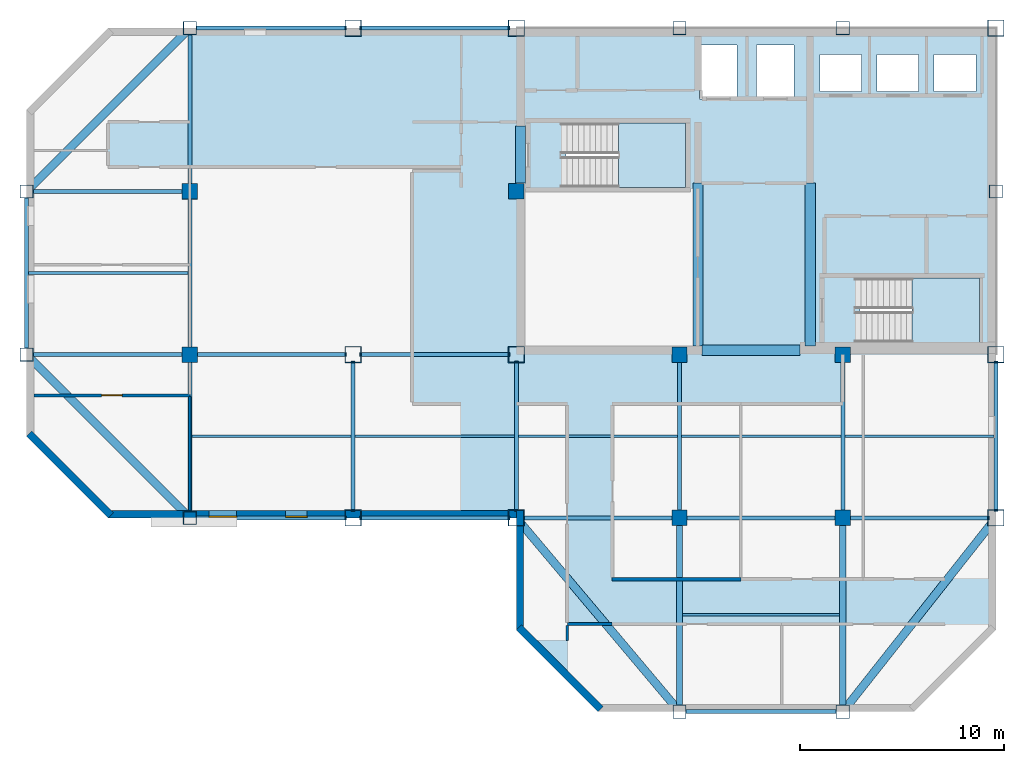
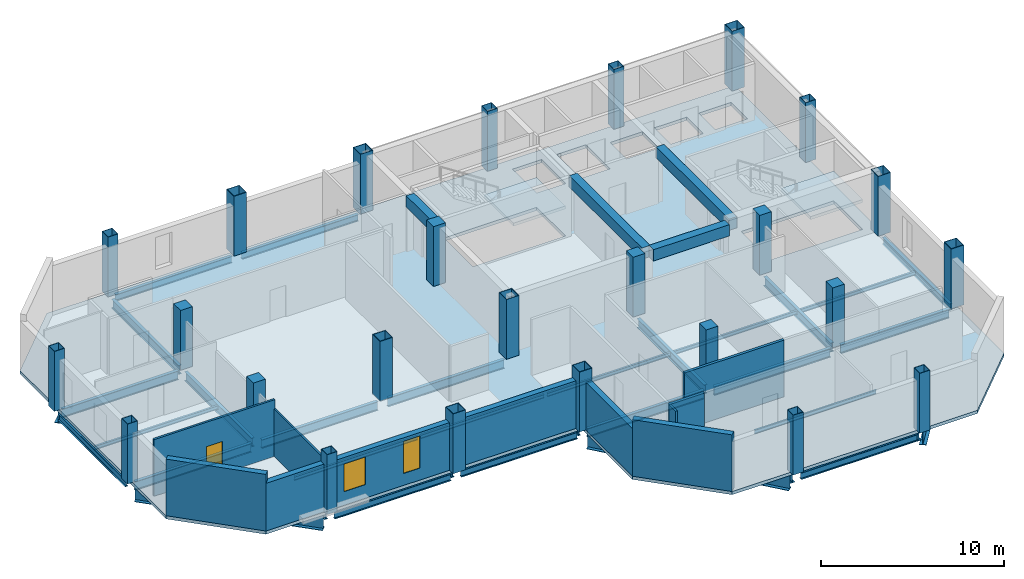
# One storey, part 1 of 7: 38 beams, 25 columns, 9 walls, 3 slabs, 2 windows, 1 door, 3 openings, 2 elements without a shape of their own.
"""IFC4 building model written with IfcOpenShell, lengths in metres."""

from ifc_helpers import new_model, si_unit, direction, frame, frame_2d, origin, origin_2d, place, context, subcontext, project, spatial, polyline, rectangle, hollow_rectangle, i_section, outline, extrude, material, layer, layer_set, material_profile, profile_set, type_object, element, fill, aggregate, save


model = new_model("IFC4")

# Units and contexts
model_context = context("Model", 3, precision=1e-05, world=origin(), true_north=direction((0.0, 1.0)))
body_context = subcontext(model_context, "Body", "Model", "MODEL_VIEW")
ifc_project = project(units=[si_unit("LENGTHUNIT", "METRE"), si_unit("AREAUNIT", "SQUARE_METRE"), si_unit("VOLUMEUNIT", "CUBIC_METRE"), si_unit("PLANEANGLEUNIT", "RADIAN"), si_unit("MASSUNIT", "GRAM", prefix="KILO")], contexts=[model_context])

# Site, building, storey
site_placement = place(None, origin())
site = spatial("IfcSite", under=ifc_project, at=site_placement, CompositionType="ELEMENT")
building_placement = place(site_placement, origin())
building = spatial("IfcBuilding", under=site, at=building_placement, Name="Qianrong Seaharbour Tower", CompositionType="ELEMENT")
storey_placement = place(building_placement, frame((0.0, 0.0, 327.199951171875)))
storey = spatial("IfcBuildingStorey", under=building, at=storey_placement, Name="L79", CompositionType="ELEMENT", Elevation=327.199951171875)

# Columns
ifc_material_1 = material(Name="Structural steel SN490B", Category="steel")
ifc_material_profile_1 = material_profile(ifc_material_1, hollow_rectangle(XDim=0.800048828125, YDim=0.800048828125, WallThickness=0.031982421875, at=origin_2d()), Name="BOX800x800x32")
ifc_profile_set_1 = profile_set([ifc_material_profile_1], Name="Structural steel SN490B")
column_type_1 = type_object("IfcColumnType", Name="COL-CFT-800", PredefinedType="COLUMN", material=ifc_profile_set_1)
for number, where, z_axis, x_axis, name in (
    (1, (32.5, 28.0, 0.0), (0.0, 0.0, 1.0), (1.0, 0.0, 0.0), "L79 Column MC-5 at G5/GE"),
    (2, (32.5, 36.0, 0.0), (0.0, 0.0, 1.0), (1.0, 0.0, 0.0), "L79 Column MC-5 at G5/GF"),
    (3, (32.5, 52.0, 0.0), (0.0, 0.0, 1.0), (1.0, 0.0, 0.0), "L79 Column MC-5 at G5/GH"),
    (4, (40.5, 28.0, 0.0), (0.0, 0.0, 1.0), (1.0, 0.0, 0.0), "L79 Column MC-5 at G6/GE"),
    (5, (40.5, 36.0, 0.0), (0.0, 0.0, 1.0), (1.0, 0.0, 0.0), "L79 Column MC-5 at G6/GF"),
    (6, (40.5, 52.0, 0.0), (0.0, 0.0, 1.0), (1.0, 0.0, 0.0), "L79 Column MC-5 at G6/GH"),
    (7, (64.0, 28.0, 0.0), (0.0, 0.0, 1.0), (1.0, 0.0, 0.0), "L79 Column MC-5 at G9/GE"),
    (8, (64.0, 36.0, 0.0), (0.0, 0.0, 1.0), (1.0, 0.0, 0.0), "L79 Column MC-5 at G9/GF"),
    (9, (64.0, 52.0, 0.0), (0.0, 0.0, 1.0), (1.0, 0.0, 0.0), "L79 Column MC-5 at G9/GH"),
):
    element("IfcColumn", number, at=place(storey_placement, frame(where, z_axis=z_axis, x_axis=x_axis)), inside=storey, type_object=column_type_1, Name=name, PredefinedType="COLUMN", context=body_context, shape_type="SweptSolid", body=[
        extrude(hollow_rectangle(XDim=0.800048828125, YDim=0.800048828125, WallThickness=0.031982421875, at=origin_2d()), origin(), (0.0, 0.0, 1.0), 4.0),
    ])
ifc_material_2 = material(Name="Concrete C50/60", Category="concrete")
ifc_material_profile_2 = material_profile(ifc_material_2, rectangle(XDim=0.75, YDim=0.75, at=origin_2d()), Name="RC750x750")
ifc_profile_set_2 = profile_set([ifc_material_profile_2], Name="Concrete C50/60")
column_type_2 = type_object("IfcColumnType", Name="COL-INT-RC750", PredefinedType="COLUMN", material=ifc_profile_set_2)
for number, where, z_axis, x_axis, name in (
    (10, (24.5, 36.0, 0.0), (0.0, 0.0, 1.0), (1.0, 0.0, 0.0), "L79 Column IC-4 at G4/GF"),
    (11, (24.5, 44.0, 0.0), (0.0, 0.0, 1.0), (1.0, 0.0, 0.0), "L79 Column IC-4 at G4/GG"),
    (12, (40.5, 44.0, 0.0), (0.0, 0.0, 1.0), (1.0, 0.0, 0.0), "L79 Column IC-4 at G6/GG"),
    (13, (48.5, 28.0, 0.0), (0.0, 0.0, 1.0), (1.0, 0.0, 0.0), "L79 Column IC-4 at G7/GE"),
    (14, (48.5, 36.0, 0.0), (0.0, 0.0, 1.0), (1.0, 0.0, 0.0), "L79 Column IC-4 at G7/GF"),
    (15, (56.5, 28.0, 0.0), (0.0, 0.0, 1.0), (1.0, 0.0, 0.0), "L79 Column IC-4 at G8/GE"),
    (16, (56.5, 36.0, 0.0), (0.0, 0.0, 1.0), (1.0, 0.0, 0.0), "L79 Column IC-4 at G8/GF"),
):
    element("IfcColumn", number, at=place(storey_placement, frame(where, z_axis=z_axis, x_axis=x_axis)), inside=storey, type_object=column_type_2, Name=name, PredefinedType="COLUMN", context=body_context, shape_type="SweptSolid", body=[
        extrude(rectangle(XDim=0.75, YDim=0.75, at=origin_2d()), origin(), (0.0, 0.0, 1.0), 4.0),
    ])
ifc_material_3 = material(Name="Structural steel SN400B", Category="steel")
ifc_material_profile_3 = material_profile(ifc_material_3, hollow_rectangle(XDim=0.64990234375, YDim=0.64990234375, WallThickness=0.028076171875, at=origin_2d()), Name="BOX650x650x28")
ifc_profile_set_3 = profile_set([ifc_material_profile_3], Name="Structural steel SN400B")
column_type_3 = type_object("IfcColumnType", Name="COL-PER-650", PredefinedType="COLUMN", material=ifc_profile_set_3)
for number, where, z_axis, x_axis, name in (
    (17, (16.5, 36.0, 0.0), (0.0, 0.0, 1.0), (1.0, 0.0, 0.0), "L79 Column PC-4 at G3/GF"),
    (18, (16.5, 44.0, 0.0), (0.0, 0.0, 1.0), (1.0, 0.0, 0.0), "L79 Column PC-4 at G3/GG"),
    (19, (24.5, 28.0, 0.0), (0.0, 0.0, 1.0), (1.0, 0.0, 0.0), "L79 Column PC-4 at G4/GE"),
    (20, (24.5, 52.0, 0.0), (0.0, 0.0, 1.0), (1.0, 0.0, 0.0), "L79 Column PC-4 at G4/GH"),
    (21, (48.5, 18.5, 0.0), (0.0, 0.0, 1.0), (1.0, 0.0, 0.0), "L79 Column PC-4 at G7/GD"),
    (22, (48.5, 52.0, 0.0), (0.0, 0.0, 1.0), (1.0, 0.0, 0.0), "L79 Column PC-4 at G7/GH"),
    (23, (56.5, 18.5, 0.0), (0.0, 0.0, 1.0), (1.0, 0.0, 0.0), "L79 Column PC-4 at G8/GD"),
    (24, (56.5, 52.0, 0.0), (0.0, 0.0, 1.0), (1.0, 0.0, 0.0), "L79 Column PC-4 at G8/GH"),
    (25, (64.0, 44.0, 0.0), (0.0, 0.0, 1.0), (1.0, 0.0, 0.0), "L79 Column PC-4 at G9/GG"),
):
    element("IfcColumn", number, at=place(storey_placement, frame(where, z_axis=z_axis, x_axis=x_axis)), inside=storey, type_object=column_type_3, Name=name, PredefinedType="COLUMN", context=body_context, shape_type="SweptSolid", body=[
        extrude(hollow_rectangle(XDim=0.64990234375, YDim=0.64990234375, WallThickness=0.028076171875, at=origin_2d()), origin(), (0.0, 0.0, 1.0), 4.0),
    ])

# Beams
ifc_material_profile_4 = material_profile(ifc_material_1, i_section(OverallWidth=0.199951171875, OverallDepth=0.60009765625, WebThickness=0.010986328125, FlangeThickness=0.01708984375, FilletRadius=0.02197265625, at=origin_2d()), Name="H600x200x11x17")
ifc_profile_set_4 = profile_set([ifc_material_profile_4], Name="Structural steel SN490B")
beam_type_1 = type_object("IfcBeamType", Name="BM-G-600", PredefinedType="BEAM", material=ifc_profile_set_4)
for number, where, z_axis, x_axis, name in (
    (26, (40.820068359375, 28.0, -0.514892578125), (1.0, 0.0, 0.0), (0.0, 1.0, 0.0), "L79 Primary Girder GE G6-G7"),
    (27, (48.820068359375, 28.0, -0.514892578125), (1.0, 0.0, 0.0), (0.0, 1.0, 0.0), "L79 Primary Girder GE G7-G8"),
):
    element("IfcBeam", number, at=place(storey_placement, frame(where, z_axis=z_axis, x_axis=x_axis)), inside=storey, type_object=beam_type_1, Name=name, PredefinedType="BEAM", context=body_context, shape_type="SweptSolid", body=[
        extrude(i_section(OverallWidth=0.199951171875, OverallDepth=0.60009765625, WebThickness=0.010986328125, FlangeThickness=0.01708984375, FilletRadius=0.02197265625, at=origin_2d()), origin(), (0.0, 0.0, 1.0), 7.35986328125),
    ])
beam_1_placement = place(storey_placement, frame((56.820068359375, 28.0, -0.514892578125), z_axis=(1.0, 0.0, 0.0), x_axis=(0.0, 1.0, 0.0)))
element("IfcBeam", 28, at=beam_1_placement, inside=storey, type_object=beam_type_1, Name="L79 Primary Girder GE G8-G9", PredefinedType="BEAM", context=body_context, shape_type="SweptSolid", body=[
    extrude(i_section(OverallWidth=0.199951171875, OverallDepth=0.60009765625, WebThickness=0.010986328125, FlangeThickness=0.01708984375, FilletRadius=0.02197265625, at=origin_2d()), origin(), (0.0, 0.0, 1.0), 6.85986328125),
])
for number, where, z_axis, x_axis, name in (
    (29, (16.820068359375, 36.0, -0.514892578125), (1.0, 0.0, 0.0), (0.0, 1.0, 0.0), "L79 Primary Girder GF G3-G4"),
    (30, (24.820068359375, 36.0, -0.514892578125), (1.0, 0.0, 0.0), (0.0, 1.0, 0.0), "L79 Primary Girder GF G4-G5"),
    (31, (32.820068359375, 36.0, -0.514892578125), (1.0, 0.0, 0.0), (0.0, 1.0, 0.0), "L79 Primary Girder GF G5-G6"),
    (32, (16.820068359375, 44.0, -0.514892578125), (1.0, 0.0, 0.0), (0.0, 1.0, 0.0), "L79 Primary Girder GG G3-G4"),
    (33, (24.5, 28.320068359375, -0.514892578125), (0.0, 1.0, 0.0), (-1.0, 0.0, 0.0), "L79 Primary Girder G4 GE-GF"),
    (34, (24.5, 36.320068359375, -0.514892578125), (0.0, 1.0, 0.0), (-1.0, 0.0, 0.0), "L79 Primary Girder G4 GF-GG"),
    (35, (24.5, 44.320068359375, -0.514892578125), (0.0, 1.0, 0.0), (-1.0, 0.0, 0.0), "L79 Primary Girder G4 GG-GH"),
    (36, (32.5, 28.320068359375, -0.514892578125), (0.0, 1.0, 0.0), (-1.0, 0.0, 0.0), "L79 Primary Girder G5 GE-GF"),
    (37, (40.5, 28.320068359375, -0.514892578125), (0.0, 1.0, 0.0), (-1.0, 0.0, 0.0), "L79 Primary Girder G6 GE-GF"),
    (38, (48.5, 28.320068359375, -0.514892578125), (0.0, 1.0, 0.0), (-1.0, 0.0, 0.0), "L79 Primary Girder G7 GE-GF"),
    (39, (56.5, 28.320068359375, -0.514892578125), (0.0, 1.0, 0.0), (-1.0, 0.0, 0.0), "L79 Primary Girder G8 GE-GF"),
):
    element("IfcBeam", number, at=place(storey_placement, frame(where, z_axis=z_axis, x_axis=x_axis)), inside=storey, type_object=beam_type_1, Name=name, PredefinedType="BEAM", context=body_context, shape_type="SweptSolid", body=[
        extrude(i_section(OverallWidth=0.199951171875, OverallDepth=0.60009765625, WebThickness=0.010986328125, FlangeThickness=0.01708984375, FilletRadius=0.02197265625, at=origin_2d()), origin(), (0.0, 0.0, 1.0), 7.35986328125),
    ])
ifc_material_profile_5 = material_profile(ifc_material_1, i_section(OverallWidth=0.300048828125, OverallDepth=0.800048828125, WebThickness=0.013916015625, FlangeThickness=0.02587890625, FilletRadius=0.028076171875, at=origin_2d()), Name="H800x300x14x26")
ifc_profile_set_5 = profile_set([ifc_material_profile_5], Name="Structural steel SN490B")
beam_type_2 = type_object("IfcBeamType", Name="BM-G-800", PredefinedType="BEAM", material=ifc_profile_set_5)
for number, where, z_axis, x_axis, name in (
    (40, (48.5, 18.820068359375, -0.614990234375), (0.0, 1.0, 0.0), (-1.0, 0.0, 0.0), "L79 Primary Girder G7 GD-GE"),
    (41, (56.5, 18.820068359375, -0.614990234375), (0.0, 1.0, 0.0), (-1.0, 0.0, 0.0), "L79 Primary Girder G8 GD-GE"),
):
    element("IfcBeam", number, at=place(storey_placement, frame(where, z_axis=z_axis, x_axis=x_axis)), inside=storey, type_object=beam_type_2, Name=name, PredefinedType="BEAM", context=body_context, shape_type="SweptSolid", body=[
        extrude(i_section(OverallWidth=0.300048828125, OverallDepth=0.800048828125, WebThickness=0.013916015625, FlangeThickness=0.02587890625, FilletRadius=0.028076171875, at=origin_2d()), origin(), (0.0, 0.0, 1.0), 8.85986328125),
    ])
ifc_material_profile_6 = material_profile(ifc_material_3, i_section(OverallWidth=0.125, OverallDepth=0.25, WebThickness=0.006103515625, FlangeThickness=0.009033203125, FilletRadius=0.011962890625, at=origin_2d()), Name="H250x125x6x9")
ifc_profile_set_6 = profile_set([ifc_material_profile_6], Name="Structural steel SN400B")
beam_type_3 = type_object("IfcBeamType", Name="BM-J-250", PredefinedType="JOIST", material=ifc_profile_set_6)
for number, where, z_axis, x_axis, name in (
    (42, (16.60009765625, 40.0, -0.33984375), (1.0, 0.0, 0.0), (0.0, 1.0, 0.0), "L79 Composite Floor Joist G3-G4/GF-GG"),
    (43, (24.60009765625, 32.0, -0.33984375), (1.0, 0.0, 0.0), (0.0, 1.0, 0.0), "L79 Composite Floor Joist G4-G5/GE-GF"),
    (44, (32.60009765625, 32.0, -0.33984375), (1.0, 0.0, 0.0), (0.0, 1.0, 0.0), "L79 Composite Floor Joist G5-G6/GE-GF"),
    (45, (40.60009765625, 32.0, -0.33984375), (1.0, 0.0, 0.0), (0.0, 1.0, 0.0), "L79 Composite Floor Joist G6-G7/GE-GF"),
):
    element("IfcBeam", number, at=place(storey_placement, frame(where, z_axis=z_axis, x_axis=x_axis)), inside=storey, type_object=beam_type_3, Name=name, PredefinedType="JOIST", context=body_context, shape_type="SweptSolid", body=[
        extrude(i_section(OverallWidth=0.125, OverallDepth=0.25, WebThickness=0.006103515625, FlangeThickness=0.009033203125, FilletRadius=0.011962890625, at=origin_2d()), origin(), (0.0, 0.0, 1.0), 7.7998046875),
    ])
beam_2_placement = place(storey_placement, frame((48.64990234375, 23.25, -0.33984375), z_axis=(1.0, 0.0, 0.0), x_axis=(0.0, 1.0, 0.0)))
element("IfcBeam", 46, at=beam_2_placement, inside=storey, type_object=beam_type_3, Name="L79 Composite Floor Joist G7-G8/GD-GE", PredefinedType="JOIST", context=body_context, shape_type="SweptSolid", body=[
    extrude(i_section(OverallWidth=0.125, OverallDepth=0.25, WebThickness=0.006103515625, FlangeThickness=0.009033203125, FilletRadius=0.011962890625, at=origin_2d()), origin(), (0.0, 0.0, 1.0), 7.7001953125),
])
beam_3_placement = place(storey_placement, frame((48.60009765625, 32.0, -0.33984375), z_axis=(1.0, 0.0, 0.0), x_axis=(0.0, 1.0, 0.0)))
element("IfcBeam", 47, at=beam_3_placement, inside=storey, type_object=beam_type_3, Name="L79 Composite Floor Joist G7-G8/GE-GF", PredefinedType="JOIST", context=body_context, shape_type="SweptSolid", body=[
    extrude(i_section(OverallWidth=0.125, OverallDepth=0.25, WebThickness=0.006103515625, FlangeThickness=0.009033203125, FilletRadius=0.011962890625, at=origin_2d()), origin(), (0.0, 0.0, 1.0), 7.7998046875),
])
beam_4_placement = place(storey_placement, frame((56.60009765625, 32.0, -0.33984375), z_axis=(1.0, 0.0, 0.0), x_axis=(0.0, 1.0, 0.0)))
element("IfcBeam", 48, at=beam_4_placement, inside=storey, type_object=beam_type_3, Name="L79 Composite Floor Joist G8-G9/GE-GF", PredefinedType="JOIST", context=body_context, shape_type="SweptSolid", body=[
    extrude(i_section(OverallWidth=0.125, OverallDepth=0.25, WebThickness=0.006103515625, FlangeThickness=0.009033203125, FilletRadius=0.011962890625, at=origin_2d()), origin(), (0.0, 0.0, 1.0), 7.2998046875),
])
ifc_material_4 = material(Name="Concrete C60/75", Category="concrete")
ifc_material_profile_7 = material_profile(ifc_material_4, rectangle(XDim=0.5, YDim=0.75, at=origin_2d()), Name="RC500x750")
ifc_profile_set_7 = profile_set([ifc_material_profile_7], Name="Concrete C60/75")
beam_type_4 = type_object("IfcBeamType", Name="BM-LINTEL-750", PredefinedType="LINTEL", material=ifc_profile_set_7)
beam_5_placement = place(storey_placement, frame((40.7099609375, 44.39990234375, 3.41015625), z_axis=(0.0, 1.0, 0.0), x_axis=(-1.0, 0.0, 0.0)))
element("IfcBeam", 49, at=beam_5_placement, inside=storey, type_object=beam_type_4, Name="L79 Core Coupling Lintel Beam West", PredefinedType="LINTEL", context=body_context, shape_type="SweptSolid", body=[
    extrude(rectangle(XDim=0.5, YDim=0.75, at=origin_2d()), origin(), (0.0, 0.0, 1.0), 2.800048828125),
])
beam_6_placement = place(storey_placement, frame((49.60009765625, 36.2099609375, 3.41015625), z_axis=(1.0, 0.0, 0.0), x_axis=(0.0, 1.0, 0.0)))
element("IfcBeam", 50, at=beam_6_placement, inside=storey, type_object=beam_type_4, Name="L79 Core Coupling Lintel Beam CBC", PredefinedType="LINTEL", context=body_context, shape_type="SweptSolid", body=[
    extrude(rectangle(XDim=0.5, YDim=0.75, at=origin_2d()), origin(), (0.0, 0.0, 1.0), 4.7998046875),
])
for number, where, z_axis, x_axis, name in (
    (51, (49.39990234375, 36.419921875, 3.41015625), (0.0, 1.0, 0.0), (-1.0, 0.0, 0.0), "L79 Internal Core Coupling Beam IW1"),
    (52, (54.89990234375, 36.419921875, 3.41015625), (0.0, 1.0, 0.0), (-1.0, 0.0, 0.0), "L79 Internal Core Coupling Beam IW2"),
):
    element("IfcBeam", number, at=place(storey_placement, frame(where, z_axis=z_axis, x_axis=x_axis)), inside=storey, type_object=beam_type_4, Name=name, PredefinedType="LINTEL", context=body_context, shape_type="SweptSolid", body=[
        extrude(rectangle(XDim=0.5, YDim=0.75, at=origin_2d()), origin(), (0.0, 0.0, 1.0), 7.97998046875),
    ])
ifc_material_profile_8 = material_profile(ifc_material_3, i_section(OverallWidth=0.199951171875, OverallDepth=0.449951171875, WebThickness=0.009033203125, FlangeThickness=0.013916015625, FilletRadius=0.01806640625, at=origin_2d()), Name="H450x200x9x14")
ifc_profile_set_8 = profile_set([ifc_material_profile_8], Name="Structural steel SN400B")
beam_type_5 = type_object("IfcBeamType", Name="BM-SP-450", PredefinedType="SPANDREL", material=ifc_profile_set_8)
for number, where, z_axis, x_axis, name in (
    (53, (48.820068359375, 18.5, -0.43994140625), (1.0, 0.0, 0.0), (0.0, 1.0, 0.0), "L79 Spandrel Girder GD G7-G8"),
    (54, (24.820068359375, 28.0, -0.43994140625), (1.0, 0.0, 0.0), (0.0, 1.0, 0.0), "L79 Spandrel Girder GE G4-G5"),
    (55, (32.820068359375, 28.0, -0.43994140625), (1.0, 0.0, 0.0), (0.0, 1.0, 0.0), "L79 Spandrel Girder GE G5-G6"),
    (56, (24.820068359375, 52.0, -0.43994140625), (1.0, 0.0, 0.0), (0.0, 1.0, 0.0), "L79 Spandrel Girder GH G4-G5"),
    (57, (32.820068359375, 52.0, -0.43994140625), (1.0, 0.0, 0.0), (0.0, 1.0, 0.0), "L79 Spandrel Girder GH G5-G6"),
    (58, (16.5, 36.320068359375, -0.43994140625), (0.0, 1.0, 0.0), (-1.0, 0.0, 0.0), "L79 Spandrel Girder G3 GF-GG"),
    (59, (64.0, 28.320068359375, -0.43994140625), (0.0, 1.0, 0.0), (-1.0, 0.0, 0.0), "L79 Spandrel Girder G9 GE-GF"),
):
    element("IfcBeam", number, at=place(storey_placement, frame(where, z_axis=z_axis, x_axis=x_axis)), inside=storey, type_object=beam_type_5, Name=name, PredefinedType="SPANDREL", context=body_context, shape_type="SweptSolid", body=[
        extrude(i_section(OverallWidth=0.199951171875, OverallDepth=0.449951171875, WebThickness=0.009033203125, FlangeThickness=0.013916015625, FilletRadius=0.01806640625, at=origin_2d()), origin(), (0.0, 0.0, 1.0), 7.35986328125),
    ])
ifc_material_profile_9 = material_profile(ifc_material_1, i_section(OverallWidth=0.39990234375, OverallDepth=1.10009765625, WebThickness=0.02001953125, FlangeThickness=0.035888671875, at=origin_2d()), Name="BH1100x400x20x36")
ifc_profile_set_9 = profile_set([ifc_material_profile_9], Name="Structural steel SN490B")
beam_type_6 = type_object("IfcBeamType", Name="BM-TG-1100", PredefinedType="BEAM", material=ifc_profile_set_9)
for number, where, z_axis, x_axis, name in (
    (60, (24.273681640625, 28.226318359375, -0.764892578125), (-0.707106781187, 0.707106781187, 0.0), (-0.707106781187, -0.707106781187, 0.0), "L79 Chamfer Corner Spandrel Girder G3/GE"),
    (61, (24.273681640625, 51.773681640625, -0.764892578125), (-0.707106781187, -0.707106781187, 0.0), (0.707106781187, -0.707106781187, 0.0), "L79 Chamfer Corner Spandrel Girder G3/GH"),
):
    element("IfcBeam", number, at=place(storey_placement, frame(where, z_axis=z_axis, x_axis=x_axis)), inside=storey, type_object=beam_type_6, Name=name, PredefinedType="BEAM", context=body_context, shape_type="SweptSolid", body=[
        extrude(i_section(OverallWidth=0.39990234375, OverallDepth=1.10009765625, WebThickness=0.02001953125, FlangeThickness=0.035888671875, at=origin_2d()), origin(), (0.0, 0.0, 1.0), 10.673583984375),
    ])
beam_7_placement = place(storey_placement, frame((48.2939453125, 18.744873046875, -0.764892578125), z_axis=(-0.644151063101, 0.764898299061, 0.0), x_axis=(-0.764898299061, -0.644151063101, 0.0)))
element("IfcBeam", 62, at=beam_7_placement, inside=storey, type_object=beam_type_6, Name="L79 Chamfer Corner Spandrel Girder G6/GD", PredefinedType="BEAM", context=body_context, shape_type="SweptSolid", body=[
    extrude(i_section(OverallWidth=0.39990234375, OverallDepth=1.10009765625, WebThickness=0.02001953125, FlangeThickness=0.035888671875, at=origin_2d()), origin(), (0.0, 0.0, 1.0), 11.77978515625),
])
beam_8_placement = place(storey_placement, frame((56.6982421875, 18.751220703125, -0.764892578125), z_axis=(0.619653955715, 0.784875133487, 0.0), x_axis=(-0.784875133487, 0.619653955715, 0.0)))
element("IfcBeam", 63, at=beam_8_placement, inside=storey, type_object=beam_type_6, Name="L79 Chamfer Corner Spandrel Girder G9/GD", PredefinedType="BEAM", context=body_context, shape_type="SweptSolid", body=[
    extrude(i_section(OverallWidth=0.39990234375, OverallDepth=1.10009765625, WebThickness=0.02001953125, FlangeThickness=0.035888671875, at=origin_2d()), origin(), (0.0, 0.0, 1.0), 11.463623046875),
])

# Stair, slab
stair_type = type_object("IfcStairType", Name="STAIR-DOGLEG-1500-R22", PredefinedType="HALF_TURN_STAIR", material=ifc_material_2)
stair_1_placement = place(storey_placement, origin())
stair_1 = element("IfcStair", 64, at=stair_1_placement, inside=storey, type_object=stair_type, Name="L79 Protected Escape Stair ST-1", PredefinedType="HALF_TURN_STAIR")
ifc_layer_1 = layer(ifc_material_2, 0.199951171875)
ifc_layer_set_1 = layer_set([ifc_layer_1], Name="Concrete C50/60")
slab_type_1 = type_object("IfcSlabType", Name="SLAB-STAIR-LANDING-200", PredefinedType="LANDING", material=ifc_layer_set_1)
slab_1_placement = place(storey_placement, frame((0.0, 0.0, 1.800048828125)))
slab_1 = element("IfcSlab", 65, at=slab_1_placement, type_object=slab_type_1, Name="ST-1 landing 1", PredefinedType="LANDING", context=body_context, shape_type="SweptSolid", body=[
    extrude(outline(polyline([(45.5, 44.199951171875), (48.800048828125, 44.199951171875), (48.800048828125, 47.35009765625), (45.5, 47.35009765625), (45.5, 44.199951171875)])), origin(), (0.0, 0.0, 1.0), 0.199951171875),
])
aggregate(stair_1, [slab_1])

stair_2_placement = place(storey_placement, origin())
stair_2 = element("IfcStair", 66, at=stair_2_placement, inside=storey, type_object=stair_type, Name="L79 Protected Escape Stair ST-2", PredefinedType="HALF_TURN_STAIR")
slab_2_placement = place(storey_placement, frame((0.0, 0.0, 1.800048828125)))
slab_2 = element("IfcSlab", 67, at=slab_2_placement, type_object=slab_type_1, Name="ST-2 landing 1", PredefinedType="LANDING", context=body_context, shape_type="SweptSolid", body=[
    extrude(outline(polyline([(59.89990234375, 36.60009765625), (63.199951171875, 36.60009765625), (63.199951171875, 39.75), (59.89990234375, 39.75), (59.89990234375, 36.60009765625)])), origin(), (0.0, 0.0, 1.0), 0.199951171875),
])
aggregate(stair_2, [slab_2])

# Slab
ifc_layer_2 = layer(ifc_material_2, 0.215087890625)
ifc_layer_set_2 = layer_set([ifc_layer_2], Name="Concrete C50/60")
slab_type_2 = type_object("IfcSlabType", Name="SLAB-Z4-215", PredefinedType="FLOOR", material=ifc_layer_set_2)
slab_3_placement = place(storey_placement, frame((0.0, 0.0, -0.21484375)))
element("IfcSlab", 68, at=slab_3_placement, inside=storey, type_object=slab_type_2, Name="L79 Structural Floor Slab", PredefinedType="FLOOR", context=body_context, shape_type="SweptSolid", body=[
    extrude(outline(polyline([(44.5, 18.5), (60.0, 18.5), (64.0, 22.5), (64.0, 52.0), (20.5, 52.0), (16.5, 48.0), (16.5, 32.0), (20.5, 28.0), (40.5, 28.0), (40.5, 22.5), (44.5, 18.5)]), holes=[polyline([(42.93994140625, 44.199951171875), (42.93994140625, 47.35009765625), (48.800048828125, 47.35009765625), (48.800048828125, 44.199951171875), (42.93994140625, 44.199951171875)]), polyline([(57.340087890625, 36.60009765625), (57.340087890625, 39.75), (63.199951171875, 39.75), (63.199951171875, 36.60009765625), (57.340087890625, 36.60009765625)]), polyline([(49.47998046875, 48.530029296875), (49.47998046875, 51.169921875), (51.320068359375, 51.169921875), (51.320068359375, 48.530029296875), (49.47998046875, 48.530029296875)]), polyline([(52.280029296875, 48.530029296875), (52.280029296875, 51.169921875), (54.1201171875, 51.169921875), (54.1201171875, 48.530029296875), (52.280029296875, 48.530029296875)]), polyline([(55.3798828125, 48.89990234375), (55.3798828125, 50.699951171875), (57.419921875, 50.699951171875), (57.419921875, 48.89990234375), (55.3798828125, 48.89990234375)]), polyline([(58.179931640625, 48.89990234375), (58.179931640625, 50.699951171875), (60.219970703125, 50.699951171875), (60.219970703125, 48.89990234375), (58.179931640625, 48.89990234375)]), polyline([(60.97998046875, 48.89990234375), (60.97998046875, 50.699951171875), (63.02001953125, 50.699951171875), (63.02001953125, 48.89990234375), (60.97998046875, 48.89990234375)])]), origin(), (0.0, 0.0, 1.0), 0.21484375),
])

# Walls
ifc_material_5 = material(Name="Fire-rated acoustic gypsum board partition")
ifc_layer_3 = layer(ifc_material_5, 0.1650390625)
ifc_layer_set_3 = layer_set([ifc_layer_3], Name="Fire-rated acoustic gypsum board partition")
wall_type_1 = type_object("IfcWallType", Name="WALL-CORR-PART-165", PredefinedType="PARTITIONING", material=ifc_layer_set_3)
wall_1_placement = place(storey_placement, frame((45.199951171875, 22.800048828125, 0.0), z_axis=(0.0, 0.0, 1.0), x_axis=(-1.0, 0.0, 0.0)))
element("IfcWall", 69, at=wall_1_placement, inside=storey, type_object=wall_type_1, Name="L79 Interior Partition Wall 029", PredefinedType="PARTITIONING", context=body_context, shape_type="SweptSolid", body=[
    extrude(rectangle(XDim=2.199951171875, YDim=0.1650390625, at=frame_2d((1.10009765625, 0.0))), origin(), (0.0, 0.0, 1.0), 3.78515625),
])
wall_2_placement = place(storey_placement, frame((45.199951171875, 25.0, 0.0), z_axis=(0.0, 0.0, 1.0), x_axis=(1.0, 0.0, 0.0)))
element("IfcWall", 70, at=wall_2_placement, inside=storey, type_object=wall_type_1, Name="L79 Interior Partition Wall 030", PredefinedType="PARTITIONING", context=body_context, shape_type="SweptSolid", body=[
    extrude(rectangle(XDim=6.300048828125, YDim=0.1650390625, at=frame_2d((3.14990234375, 0.0))), origin(), (0.0, 0.0, 1.0), 3.78515625),
])
ifc_material_6 = material(Name="Demountable aluminium-framed acoustic office partition", Category="aluminium")
ifc_layer_4 = layer(ifc_material_6, 0.110107421875)
ifc_layer_set_4 = layer_set([ifc_layer_4], Name="Demountable aluminium-framed acoustic office partition")
wall_type_2 = type_object("IfcWallType", Name="WALL-DEMOUNT-110", PredefinedType="MOVABLE", material=ifc_layer_set_4)
wall_3_placement = place(storey_placement, frame((24.5, 28.35205078125, 0.0), z_axis=(0.0, 0.0, 1.0), x_axis=(0.0, 1.0, 0.0)))
element("IfcWall", 71, at=wall_3_placement, inside=storey, type_object=wall_type_2, Name="L79 Interior Partition Wall 035", PredefinedType="MOVABLE", context=body_context, shape_type="SweptSolid", body=[
    extrude(rectangle(XDim=5.591064453125, YDim=0.110107421875, at=frame_2d((2.79541015625, 0.0))), origin(), (0.0, 0.0, 1.0), 3.177001953125),
])
wall_4_placement = place(storey_placement, frame((43.0, 22.7255859375, 0.0), z_axis=(0.0, 0.0, 1.0), x_axis=(0.0, -1.0, 0.0)))
element("IfcWall", 72, at=wall_4_placement, inside=storey, type_object=wall_type_2, Name="L79 Interior Partition Wall 043", PredefinedType="MOVABLE", context=body_context, shape_type="SweptSolid", body=[
    extrude(rectangle(XDim=0.7255859375, YDim=0.110107421875, at=frame_2d((0.36279296875, 0.0))), origin(), (0.0, 0.0, 1.0), 3.78515625),
])
ifc_material_7 = material(Name="Unitised red brick on Precast concrete C45/55", Category="masonry")
ifc_layer_5 = layer(ifc_material_7, 0.360107421875)
ifc_layer_set_5 = layer_set([ifc_layer_5], Name="Unitised red brick on Precast concrete C45/55")
wall_type_3 = type_object("IfcWallType", Name="WALL-EXT-BRICK-RED-360", PredefinedType="SOLIDWALL", material=ifc_layer_set_5)
wall_5_placement = place(storey_placement, frame((40.679931640625, 22.5, 0.0), z_axis=(0.0, 0.0, 1.0), x_axis=(0.0, 1.0, 0.0)))
element("IfcWall", 73, at=wall_5_placement, inside=storey, type_object=wall_type_3, Name="L79 Exterior Masonry Facade Wall REENTRANT_WEST", PredefinedType="SOLIDWALL", context=body_context, shape_type="SweptSolid", body=[
    extrude(rectangle(XDim=5.860107421875, YDim=0.360107421875, at=frame_2d((2.93017578125, 0.0))), origin(), (0.0, 0.0, 1.0), 3.18505859375),
])

# Wall, openings, windows
wall_6_placement = place(storey_placement, frame((40.52001953125, 28.179931640625, 0.0), z_axis=(0.0, 0.0, 1.0), x_axis=(-1.0, 0.0, 0.0)))
wall_6 = element("IfcWall", 74, at=wall_6_placement, inside=storey, type_object=wall_type_3, Name="L79 Exterior Masonry Facade Wall HARBOUR_RIBBON", PredefinedType="SOLIDWALL", context=body_context, shape_type="SweptSolid", body=[
    extrude(rectangle(XDim=20.02001953125, YDim=0.360107421875, at=frame_2d((10.010009765625, 0.0))), origin(), (0.0, 0.0, 1.0), 3.18505859375),
])
opening_1_placement = place(wall_6_placement, frame((10.27490234375, 0.0, 0.800048828125)))
opening_1 = element("IfcOpeningElement", 75, at=opening_1_placement, cuts=wall_6, Name="Opening WN-14", PredefinedType="OPENING", context=body_context, shape_type="SweptSolid", body=[
    extrude(rectangle(XDim=1.050048828125, YDim=2.14990234375, at=frame_2d((0.52490234375, 1.074951171875))), frame((0.0, 0.18994140625, 0.0), z_axis=(0.0, -1.0, 0.0), x_axis=(1.0, 0.0, 0.0)), (0.0, 0.0, 1.0), 0.380126953125),
])
opening_2_placement = place(wall_6_placement, frame((13.72509765625, 0.0, 0.89990234375)))
opening_2 = element("IfcOpeningElement", 76, at=opening_2_placement, cuts=wall_6, Name="Opening WN-02", PredefinedType="OPENING", context=body_context, shape_type="SweptSolid", body=[
    extrude(rectangle(XDim=1.35009765625, YDim=1.85009765625, at=frame_2d((0.675048828125, 0.925048828125))), frame((0.0, 0.18994140625, 0.0), z_axis=(0.0, -1.0, 0.0), x_axis=(1.0, 0.0, 0.0)), (0.0, 0.0, 1.0), 0.380126953125),
])
ifc_material_8 = material(Name="Insulated low-e double glazing in thermally broken aluminium 6063-T6 frame", Category="aluminium")
window_type_1 = type_object("IfcWindowType", Name="WIN-NARROW-1050x2150", PartitioningType="SINGLE_PANEL", PredefinedType="WINDOW", material=ifc_material_8)
window_1_placement = place(opening_1_placement, origin())
window_1 = element("IfcWindow", 77, at=window_1_placement, inside=storey, type_object=window_type_1, Name="L79 Deep-Set Punched Window 01.03", OverallHeight=2.14990234375, OverallWidth=1.050048828125, PartitioningType="SINGLE_PANEL", PredefinedType="WINDOW", context=body_context, shape_type="SweptSolid", body=[
    extrude(rectangle(XDim=1.050048828125, YDim=2.14990234375, at=frame_2d((0.52490234375, 1.074951171875))), frame((0.0, 0.150146484375, 0.0), z_axis=(0.0, -1.0, 0.0), x_axis=(1.0, 0.0, 0.0)), (0.0, 0.0, 1.0), 0.06005859375),
])
fill(opening_1, window_1)
window_type_2 = type_object("IfcWindowType", Name="WIN-PUNCH-1350x1850", PartitioningType="DOUBLE_PANEL_VERTICAL", PredefinedType="WINDOW", material=ifc_material_8)
window_2_placement = place(opening_2_placement, origin())
window_2 = element("IfcWindow", 78, at=window_2_placement, inside=storey, type_object=window_type_2, Name="L79 Deep-Set Punched Window 01.04", OverallHeight=1.85009765625, OverallWidth=1.35009765625, PartitioningType="DOUBLE_PANEL_VERTICAL", PredefinedType="WINDOW", context=body_context, shape_type="SweptSolid", body=[
    extrude(rectangle(XDim=1.35009765625, YDim=1.85009765625, at=frame_2d((0.675048828125, 0.925048828125))), frame((0.0, 0.150146484375, 0.0), z_axis=(0.0, -1.0, 0.0), x_axis=(1.0, 0.0, 0.0)), (0.0, 0.0, 1.0), 0.06005859375),
])
fill(opening_2, window_2)

# Walls
for number, where, z_axis, x_axis, name in (
    (79, (20.627197265625, 28.127197265625, 0.0), (0.0, 0.0, 1.0), (-0.707106781187, 0.707106781187, 0.0), "L79 Exterior Masonry Facade Wall E02"),
    (80, (44.627197265625, 18.627197265625, 0.0), (0.0, 0.0, 1.0), (-0.707106781187, 0.707106781187, 0.0), "L79 Exterior Masonry Facade Wall E09"),
):
    element("IfcWall", number, at=place(storey_placement, frame(where, z_axis=z_axis, x_axis=x_axis)), inside=storey, type_object=wall_type_3, Name=name, PredefinedType="SOLIDWALL", context=body_context, shape_type="SweptSolid", body=[
        extrude(rectangle(XDim=5.65673828125, YDim=0.360107421875, at=frame_2d((2.828369140625, 0.0))), origin(), (0.0, 0.0, 1.0), 3.78515625),
    ])

# Wall, opening, door
ifc_material_9 = material(Name="Water-resistant cement board sanitary partition")
ifc_layer_6 = layer(ifc_material_9, 0.1298828125)
ifc_layer_set_6 = layer_set([ifc_layer_6], Name="Water-resistant cement board sanitary partition")
wall_type_4 = type_object("IfcWallType", Name="WALL-WET-PART-130", PredefinedType="PARTITIONING", material=ifc_layer_set_6)
wall_7_placement = place(storey_placement, frame((16.85205078125, 34.0, 0.0), z_axis=(0.0, 0.0, 1.0), x_axis=(1.0, 0.0, 0.0)))
wall_7 = element("IfcWall", 81, at=wall_7_placement, inside=storey, type_object=wall_type_4, Name="L79 Interior Partition Wall 038", PredefinedType="PARTITIONING", context=body_context, shape_type="SweptSolid", body=[
    extrude(rectangle(XDim=7.64794921875, YDim=0.1298828125, at=frame_2d((3.823974609375, 0.0))), origin(), (0.0, 0.0, 1.0), 3.78515625),
])
opening_3_placement = place(wall_7_placement, frame((3.323974609375, 0.0, 0.0)))
opening_3 = element("IfcOpeningElement", 82, at=opening_3_placement, cuts=wall_7, Name="Opening DO-01", PredefinedType="OPENING", context=body_context, shape_type="SweptSolid", body=[
    extrude(rectangle(XDim=1.0, YDim=2.14990234375, at=frame_2d((0.5, 1.074951171875))), frame((0.0, 0.074951171875, 0.0), z_axis=(0.0, -1.0, 0.0), x_axis=(1.0, 0.0, 0.0)), (0.0, 0.0, 1.0), 0.14990234375),
])
ifc_material_10 = material(Name="Acoustic timber and galvanized steel fire door assembly", Category="steel")
door_type = type_object("IfcDoorType", Name="DOOR-OFFICE-1000x2150", OperationType="NOTDEFINED", PredefinedType="DOOR", material=ifc_material_10)
door_placement = place(opening_3_placement, origin())
door = element("IfcDoor", 83, at=door_placement, inside=storey, type_object=door_type, Name="L79 Harbour Sunset Lounge 1 Door", OperationType="SINGLE_SWING_RIGHT", OverallHeight=2.14990234375, OverallWidth=1.0, PredefinedType="DOOR", context=body_context, shape_type="SweptSolid", body=[
    extrude(rectangle(XDim=1.0, YDim=2.14990234375, at=frame_2d((0.5, 1.074951171875))), frame((0.0, 0.02490234375, 0.0), z_axis=(0.0, -1.0, 0.0), x_axis=(1.0, 0.0, 0.0)), (0.0, 0.0, 1.0), 0.050048828125),
])
fill(opening_3, door)

save(model, "model.ifc")
